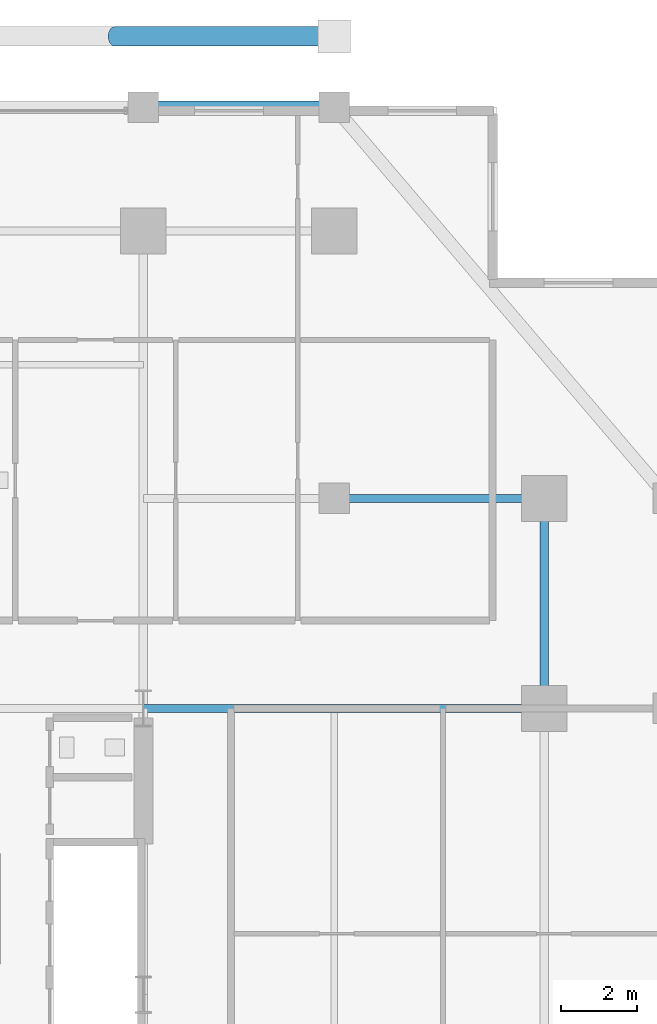
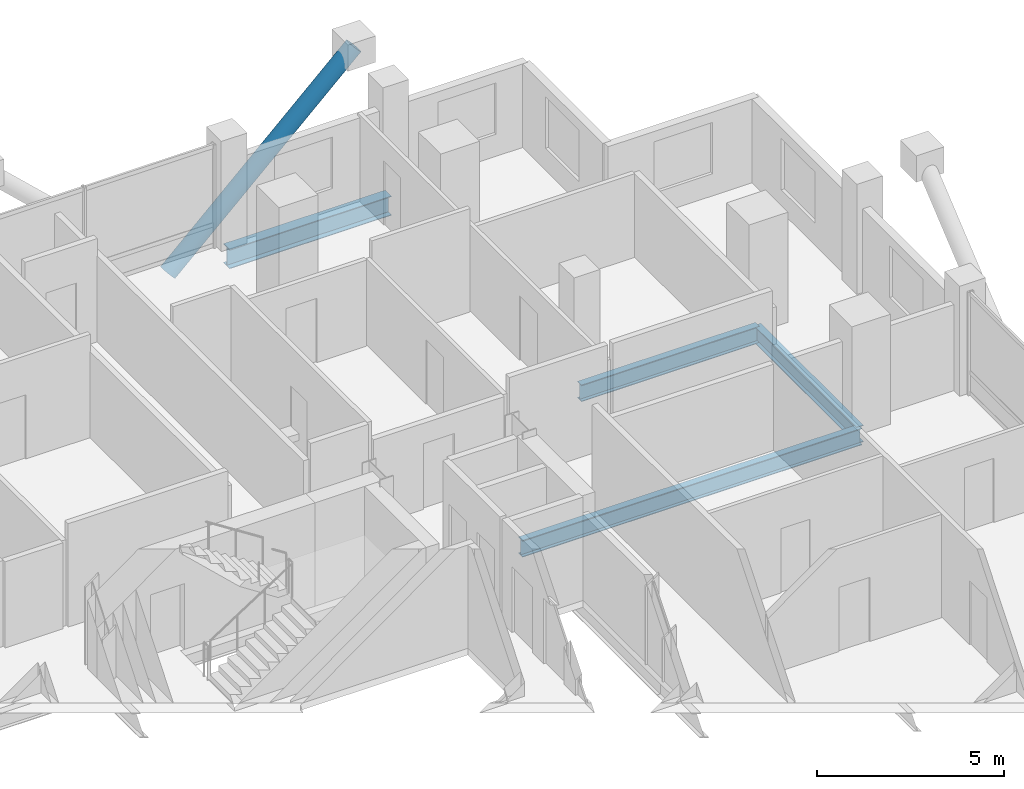
# One storey, part 14 of 23: 4 beams, 1 member.
"""IFC4 building model written with IfcOpenShell, lengths in metres."""

from ifc_helpers import new_model, si_unit, direction, frame, origin, origin_2d, place, context, subcontext, project, spatial, hollow_circle, i_section, extrude, material, material_profile, profile_set, type_object, element, save


model = new_model("IFC4")

# Units and contexts
model_context = context("Model", 3, precision=1e-05, world=origin(), true_north=direction((0.0, 1.0)))
body_context = subcontext(model_context, "Body", "Model", "MODEL_VIEW")
ifc_project = project(units=[si_unit("LENGTHUNIT", "METRE"), si_unit("AREAUNIT", "SQUARE_METRE"), si_unit("VOLUMEUNIT", "CUBIC_METRE"), si_unit("PLANEANGLEUNIT", "RADIAN"), si_unit("MASSUNIT", "GRAM", prefix="KILO")], contexts=[model_context])

# Site, building, storey
site_placement = place(None, origin())
site = spatial("IfcSite", under=ifc_project, at=site_placement, CompositionType="ELEMENT")
building_placement = place(site_placement, origin())
building = spatial("IfcBuilding", under=site, at=building_placement, Name="Barlavira Tower and Art Museum", CompositionType="ELEMENT")
storey_placement = place(building_placement, frame((0.0, 0.0, 151.199951171875)))
storey = spatial("IfcBuildingStorey", under=building, at=storey_placement, Name="L38", CompositionType="ELEMENT", Elevation=151.199951171875)

# Member
ifc_material = material(Name="Steel S355", Category="steel")
ifc_material_profile_1 = material_profile(ifc_material, hollow_circle(Radius=0.25390625, WallThickness=0.022216796875, at=origin_2d()), Name="CHS 508.0x22.2")
ifc_profile_set_1 = profile_set([ifc_material_profile_1], Name="Steel S355")
member_type = type_object("IfcMemberType", Name="Pale-Metal Exoskeleton Diagrid Tube CHS 508x22 Steel S355", PredefinedType="BRACE", material=ifc_profile_set_1)
member_placement = place(storey_placement, frame((5.75, 25.10009765625, -1.919921875), z_axis=(0.728950095515, 0.0, 0.684566839869), x_axis=(0.0, 1.0, 0.0)))
element("IfcMember", 1, at=member_placement, inside=storey, type_object=member_type, Name="L38 Exoskeleton Diagrid Tube N", PredefinedType="BRACE", context=body_context, shape_type="SweptSolid", body=[
    extrude(hollow_circle(Radius=0.25390625, WallThickness=0.022216796875, at=origin_2d()), origin(), (0.0, 0.0, 1.0), 7.887939453125),
])

# Beams
ifc_material_profile_2 = material_profile(ifc_material, i_section(OverallWidth=0.327880859375, OverallDepth=0.62890625, WebThickness=0.013916015625, FlangeThickness=0.021484375, at=origin_2d()), Name="W610x174.0")
ifc_profile_set_2 = profile_set([ifc_material_profile_2], Name="Steel S355")
beam_type_1 = type_object("IfcBeamType", Name="Perimeter Spandrel Edge Beam W610x174 Steel S355", PredefinedType="SPANDREL", material=ifc_profile_set_2)
beam_1_placement = place(storey_placement, frame((6.5, 23.25, -0.534423828125), z_axis=(1.0, 0.0, 0.0), x_axis=(0.0, 1.0, 0.0)))
element("IfcBeam", 2, at=beam_1_placement, inside=storey, type_object=beam_type_1, Name="L38 Spandrel 9", PredefinedType="SPANDREL", context=body_context, shape_type="SweptSolid", body=[
    extrude(i_section(OverallWidth=0.327880859375, OverallDepth=0.62890625, WebThickness=0.013916015625, FlangeThickness=0.021484375, at=origin_2d()), origin(), (0.0, 0.0, 1.0), 5.0),
])
ifc_material_profile_3 = material_profile(ifc_material, i_section(OverallWidth=0.214111328125, OverallDepth=0.549072265625, WebThickness=0.0146484375, FlangeThickness=0.023681640625, at=origin_2d()), Name="W530x138.0")
ifc_profile_set_3 = profile_set([ifc_material_profile_3], Name="Steel S355")
beam_type_2 = type_object("IfcBeamType", Name="Zone 1 Primary Floor Girder W530x138 Steel S355", PredefinedType="BEAM", material=ifc_profile_set_3)
beam_2_placement = place(storey_placement, frame((17.0, 7.5, -0.494384765625), z_axis=(0.0, 1.0, 0.0), x_axis=(-1.0, 0.0, 0.0)))
element("IfcBeam", 3, at=beam_2_placement, inside=storey, type_object=beam_type_2, Name="L38 Girder M-E3", PredefinedType="BEAM", context=body_context, shape_type="SweptSolid", body=[
    extrude(i_section(OverallWidth=0.214111328125, OverallDepth=0.549072265625, WebThickness=0.0146484375, FlangeThickness=0.023681640625, at=origin_2d()), origin(), (0.0, 0.0, 1.0), 5.5),
])
beam_3_placement = place(storey_placement, frame((6.5, 7.5, -0.494384765625), z_axis=(1.0, 0.0, 0.0), x_axis=(0.0, 1.0, 0.0)))
element("IfcBeam", 4, at=beam_3_placement, inside=storey, type_object=beam_type_2, Name="L38 Girder R-E2", PredefinedType="BEAM", context=body_context, shape_type="SweptSolid", body=[
    extrude(i_section(OverallWidth=0.214111328125, OverallDepth=0.549072265625, WebThickness=0.0146484375, FlangeThickness=0.023681640625, at=origin_2d()), origin(), (0.0, 0.0, 1.0), 10.5),
])
beam_4_placement = place(storey_placement, frame((11.5, 13.0, -0.494384765625), z_axis=(1.0, 0.0, 0.0), x_axis=(0.0, 1.0, 0.0)))
element("IfcBeam", 5, at=beam_4_placement, inside=storey, type_object=beam_type_2, Name="L38 Girder I-N4", PredefinedType="BEAM", context=body_context, shape_type="SweptSolid", body=[
    extrude(i_section(OverallWidth=0.214111328125, OverallDepth=0.549072265625, WebThickness=0.0146484375, FlangeThickness=0.023681640625, at=origin_2d()), origin(), (0.0, 0.0, 1.0), 5.5),
])

save(model, "model.ifc")
